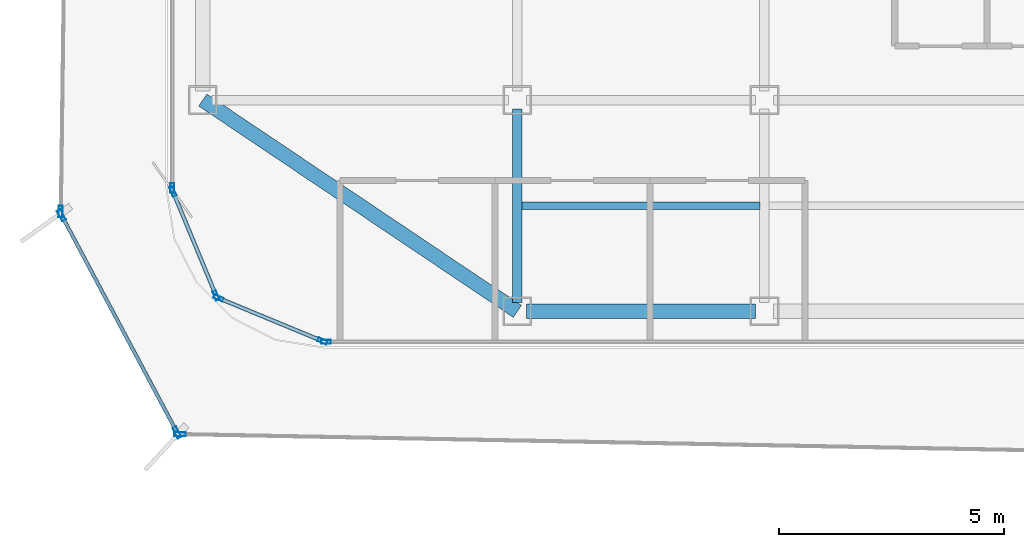
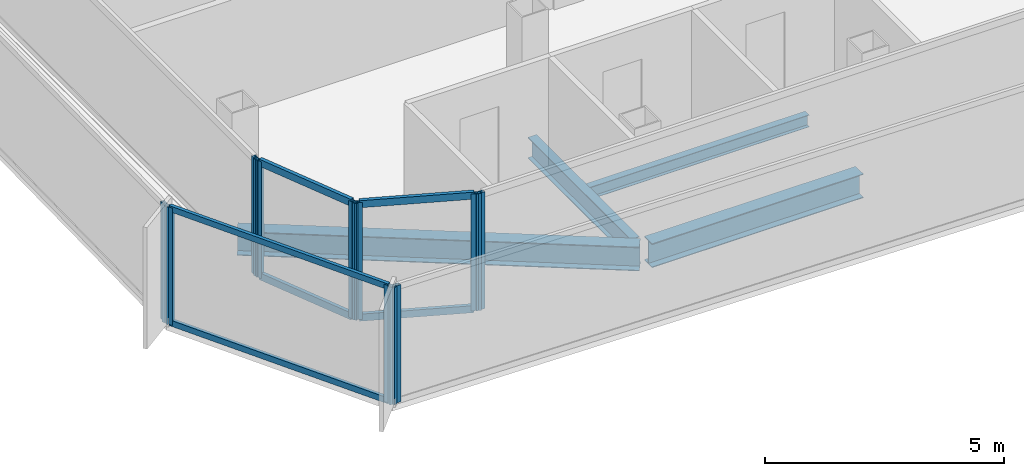
# One storey, part 2 of 15: 16 members, 4 beams, 7 elements without a shape of their own.
"""IFC4 building model written with IfcOpenShell, lengths in metres."""

from ifc_helpers import new_model, si_unit, direction, frame, origin, origin_2d, place, context, subcontext, project, spatial, hollow_rectangle, i_section, extrude, source, transform, mapped, material, layer, layer_set, material_profile, profile_set, type_object, element, aggregate, save


model = new_model("IFC4")

# Units and contexts
model_context = context("Model", 3, precision=1e-05, world=origin(), true_north=direction((0.0, 1.0)))
body_context = subcontext(model_context, "Body", "Model", "MODEL_VIEW")
ifc_project = project(units=[si_unit("LENGTHUNIT", "METRE"), si_unit("AREAUNIT", "SQUARE_METRE"), si_unit("VOLUMEUNIT", "CUBIC_METRE"), si_unit("PLANEANGLEUNIT", "RADIAN"), si_unit("MASSUNIT", "GRAM", prefix="KILO")], contexts=[model_context])

# Site, building, storey
site_placement = place(None, origin())
site = spatial("IfcSite", under=ifc_project, at=site_placement, CompositionType="ELEMENT")
building_placement = place(site_placement, origin())
building = spatial("IfcBuilding", under=site, at=building_placement, Name="Kolveth Station Tower", CompositionType="ELEMENT")
storey_placement = place(building_placement, frame((0.0, 0.0, 261.699951171875)))
storey = spatial("IfcBuildingStorey", under=building, at=storey_placement, Name="L75", CompositionType="ELEMENT", Elevation=261.699951171875)

# Beams
ifc_material_1 = material(Name="Steel S355", Category="steel")
ifc_material_profile_1 = material_profile(ifc_material_1, i_section(OverallWidth=0.323974609375, OverallDepth=0.611083984375, WebThickness=0.0126953125, FlangeThickness=0.01904296875, at=origin_2d()), Name="W610x155")
ifc_profile_set_1 = profile_set([ifc_material_profile_1], Name="Steel S355")
beam_type_1 = type_object("IfcBeamType", Name="Beam_SP2", PredefinedType="SPANDREL", material=ifc_profile_set_1)
shared_shape_1 = source(origin(), body_context, "Body", "SweptSolid", [
    extrude(i_section(OverallWidth=0.323974609375, OverallDepth=0.611083984375, WebThickness=0.0126953125, FlangeThickness=0.01904296875, at=origin_2d()), origin(), (0.0, 0.0, 1.0), 8.431396484375),
])
beam_1_placement = place(storey_placement, frame((6.0, 5.5, -0.525390625), z_axis=(0.830223811004, -0.557430196206, 0.0), x_axis=(0.557430196206, 0.830223811004, 0.0)))
element("IfcBeam", 1, at=beam_1_placement, inside=storey, type_object=beam_type_1, Name="L75 Corner Edge Girder BM-L75-CNR-SW", PredefinedType="SPANDREL", context=body_context, shape_type="MappedRepresentation", body=[
    mapped(shared_shape_1, transform((0.0, 0.0, 0.0), x_axis=(1.0, 0.0, 0.0), y_axis=(0.0, 1.0, 0.0), z_axis=(0.0, 0.0, 1.0), scale=1.0)),
])
shared_shape_2 = source(origin(), body_context, "Body", "SweptSolid", [
    extrude(i_section(OverallWidth=0.323974609375, OverallDepth=0.611083984375, WebThickness=0.0126953125, FlangeThickness=0.01904296875, at=origin_2d()), origin(), (0.0, 0.0, 1.0), 5.10009765625),
])
beam_2_placement = place(storey_placement, frame((13.199951171875, 0.800048828125, -0.525390625), z_axis=(1.0, 0.0, 0.0), x_axis=(0.0, 1.0, 0.0)))
element("IfcBeam", 2, at=beam_2_placement, inside=storey, type_object=beam_type_1, Name="L75 Perimeter Spandrel BM-L75-PS-1", PredefinedType="SPANDREL", context=body_context, shape_type="MappedRepresentation", body=[
    mapped(shared_shape_2, transform((0.0, 0.0, 0.0), x_axis=(1.0, 0.0, 0.0), y_axis=(0.0, 1.0, 0.0), z_axis=(0.0, 0.0, 1.0), scale=1.0)),
])
ifc_material_profile_2 = material_profile(ifc_material_1, i_section(OverallWidth=0.2099609375, OverallDepth=0.537109375, WebThickness=0.010986328125, FlangeThickness=0.017333984375, at=origin_2d()), Name="W530x101")
ifc_profile_set_2 = profile_set([ifc_material_profile_2], Name="Steel S355")
beam_type_2 = type_object("IfcBeamType", Name="Beam_B6", PredefinedType="BEAM", material=ifc_profile_set_2)
shared_shape_3 = source(origin(), body_context, "Body", "SweptSolid", [
    extrude(i_section(OverallWidth=0.2099609375, OverallDepth=0.537109375, WebThickness=0.010986328125, FlangeThickness=0.017333984375, at=origin_2d()), origin(), (0.0, 0.0, 1.0), 4.300048828125),
])
beam_3_placement = place(storey_placement, frame((13.0, 1.0, -0.488525390625), z_axis=(0.0, 1.0, 0.0), x_axis=(-1.0, 0.0, 0.0)))
element("IfcBeam", 3, at=beam_3_placement, inside=storey, type_object=beam_type_2, Name="L75 Primary Girder BM-L75-GX130-1", PredefinedType="BEAM", context=body_context, shape_type="MappedRepresentation", body=[
    mapped(shared_shape_3, transform((0.0, 0.0, 0.0), x_axis=(1.0, 0.0, 0.0), y_axis=(0.0, 1.0, 0.0), z_axis=(0.0, 0.0, 1.0), scale=1.0)),
])
ifc_material_profile_3 = material_profile(ifc_material_1, i_section(OverallWidth=0.1650390625, OverallDepth=0.31005859375, WebThickness=0.005859375, FlangeThickness=0.009765625, at=origin_2d()), Name="W310x39")
ifc_profile_set_3 = profile_set([ifc_material_profile_3], Name="Steel S355")
beam_type_3 = type_object("IfcBeamType", Name="Beam_J3", PredefinedType="JOIST", material=ifc_profile_set_3)
shared_shape_4 = source(origin(), body_context, "Body", "SweptSolid", [
    extrude(i_section(OverallWidth=0.1650390625, OverallDepth=0.31005859375, WebThickness=0.005859375, FlangeThickness=0.009765625, at=origin_2d()), origin(), (0.0, 0.0, 1.0), 5.2939453125),
])
beam_4_placement = place(storey_placement, frame((13.10302734375, 3.14990234375, -0.375), z_axis=(1.0, 0.0, 0.0), x_axis=(0.0, 1.0, 0.0)))
element("IfcBeam", 4, at=beam_4_placement, inside=storey, type_object=beam_type_3, Name="L75 Secondary Joist JST-L75-2-1", PredefinedType="JOIST", context=body_context, shape_type="MappedRepresentation", body=[
    mapped(shared_shape_4, transform((0.0, 0.0, 0.0), x_axis=(1.0, 0.0, 0.0), y_axis=(0.0, 1.0, 0.0), z_axis=(0.0, 0.0, 1.0), scale=1.0)),
])

# Curtain wall, member
ifc_material_2 = material(Name="Black anodized aluminium 6063-T6 and dark solar glass", Category="aluminium")
ifc_layer_1 = layer(ifc_material_2, 0.159912109375)
ifc_layer_set_1 = layer_set([ifc_layer_1], Name="Black anodized aluminium 6063-T6 and dark solar glass")
curtain_wall_type_1 = type_object("IfcCurtainWallType", Name="OUTER SKIN CW-OS", PredefinedType="NOTDEFINED", material=ifc_layer_set_1)
curtain_wall_1_placement = place(storey_placement, origin())
curtain_wall_1 = element("IfcCurtainWall", 5, at=curtain_wall_1_placement, inside=storey, type_object=curtain_wall_type_1, Name="L75 Outer Ventilated Skin Curtain Wall 6", PredefinedType="NOTDEFINED")
ifc_material_3 = material(Name="Black anodized aluminium 6063-T6", Category="aluminium")
ifc_material_profile_4 = material_profile(ifc_material_3, hollow_rectangle(XDim=0.090087890625, YDim=0.260009765625, WallThickness=0.0048828125, at=origin_2d()), Name="ALU-90x260x5")
ifc_profile_set_4 = profile_set([ifc_material_profile_4], Name="Black anodized aluminium 6063-T6")
member_type_1 = type_object("IfcMemberType", Name="FIN MULLION ML-OS", PredefinedType="MULLION", material=ifc_profile_set_4)
shared_shape_5 = source(origin(), body_context, "Body", "SweptSolid", [
    extrude(hollow_rectangle(XDim=0.090087890625, YDim=0.260009765625, WallThickness=0.0048828125, at=origin_2d()), origin(), (0.0, 0.0, 1.0), 2.989990234375),
])
member_1_placement = place(storey_placement, frame((2.833740234375, 3.021240234375, 0.0), z_axis=(0.0, 0.0, 1.0), x_axis=(0.99991405989, -0.013110027993, 0.0)))
member_1 = element("IfcMember", 6, at=member_1_placement, type_object=member_type_1, Name="CW-OS mullion 2", PredefinedType="MULLION", context=body_context, shape_type="MappedRepresentation", body=[
    mapped(shared_shape_5, transform((0.0, 0.0, 0.0), x_axis=(1.0, 0.0, 0.0), y_axis=(0.0, 1.0, 0.0), z_axis=(0.0, 0.0, 1.0), scale=1.0)),
])
aggregate(curtain_wall_1, [member_1])

# Curtain wall, members
curtain_wall_2_placement = place(storey_placement, origin())
curtain_wall_2 = element("IfcCurtainWall", 7, at=curtain_wall_2_placement, inside=storey, type_object=curtain_wall_type_1, Name="L75 Outer Ventilated Skin Curtain Wall 7", PredefinedType="NOTDEFINED")
member_2_placement = place(storey_placement, frame((2.854248046875, 2.9365234375, 0.0), z_axis=(0.0, 0.0, 1.0), x_axis=(0.882900441886, 0.469560230127, 0.0)))
member_2 = element("IfcMember", 8, at=member_2_placement, type_object=member_type_1, Name="CW-OS mullion 1", PredefinedType="MULLION", context=body_context, shape_type="MappedRepresentation", body=[
    mapped(shared_shape_5, transform((0.0, 0.0, 0.0), x_axis=(1.0, 0.0, 0.0), y_axis=(0.0, 1.0, 0.0), z_axis=(0.0, 0.0, 1.0), scale=1.0)),
])
member_3_placement = place(storey_placement, frame((5.425537109375, -1.89794921875, 0.0), z_axis=(0.0, 0.0, 1.0), x_axis=(0.882900441886, 0.469560230127, 0.0)))
member_3 = element("IfcMember", 9, at=member_3_placement, type_object=member_type_1, Name="CW-OS mullion 2", PredefinedType="MULLION", context=body_context, shape_type="MappedRepresentation", body=[
    mapped(shared_shape_5, transform((0.0, 0.0, 0.0), x_axis=(1.0, 0.0, 0.0), y_axis=(0.0, 1.0, 0.0), z_axis=(0.0, 0.0, 1.0), scale=1.0)),
])

# Curtain wall, member
curtain_wall_3_placement = place(storey_placement, origin())
curtain_wall_3 = element("IfcCurtainWall", 10, at=curtain_wall_3_placement, inside=storey, type_object=curtain_wall_type_1, Name="L75 Outer Ventilated Skin Curtain Wall 8", PredefinedType="NOTDEFINED")
member_4_placement = place(storey_placement, frame((5.49169921875, -1.9384765625, 0.0), z_axis=(0.0, 0.0, 1.0), x_axis=(0.018918233946, 0.999821034198, 0.0)))
member_4 = element("IfcMember", 11, at=member_4_placement, type_object=member_type_1, Name="CW-OS mullion 1", PredefinedType="MULLION", context=body_context, shape_type="MappedRepresentation", body=[
    mapped(shared_shape_5, transform((0.0, 0.0, 0.0), x_axis=(1.0, 0.0, 0.0), y_axis=(0.0, 1.0, 0.0), z_axis=(0.0, 0.0, 1.0), scale=1.0)),
])
aggregate(curtain_wall_3, [member_4])

ifc_material_4 = material(Name="Aluminium 6063-T6 and triple low-E dark glass", Category="aluminium")
ifc_layer_2 = layer(ifc_material_4, 0.199951171875)
ifc_layer_set_2 = layer_set([ifc_layer_2], Name="Aluminium 6063-T6 and triple low-E dark glass")
curtain_wall_type_2 = type_object("IfcCurtainWallType", Name="CurtainWall_CW-Z3", PredefinedType="NOTDEFINED", material=ifc_layer_set_2)
curtain_wall_4_placement = place(storey_placement, origin())
curtain_wall_4 = element("IfcCurtainWall", 12, at=curtain_wall_4_placement, inside=storey, type_object=curtain_wall_type_2, Name="L75 Inner Thermal Curtain Wall 9", PredefinedType="NOTDEFINED")
ifc_material_profile_5 = material_profile(ifc_material_3, hollow_rectangle(XDim=0.0849609375, YDim=0.215087890625, WallThickness=0.0048828125, at=origin_2d()), Name="ALU-85x215x5")
ifc_profile_set_5 = profile_set([ifc_material_profile_5], Name="Black anodized aluminium 6063-T6")
member_type_2 = type_object("IfcMemberType", Name="Mullion_ML3", PredefinedType="MULLION", material=ifc_profile_set_5)
shared_shape_6 = source(origin(), body_context, "Body", "SweptSolid", [
    extrude(hollow_rectangle(XDim=0.0849609375, YDim=0.215087890625, WallThickness=0.0048828125, at=origin_2d()), origin(), (0.0, 0.0, 1.0), 2.97998046875),
])
member_5_placement = place(storey_placement, frame((5.320068359375, 3.54248046875, 0.0), z_axis=(0.0, 0.0, 1.0), x_axis=(1.0, 0.0, 0.0)))
member_5 = element("IfcMember", 13, at=member_5_placement, type_object=member_type_2, Name="CW-Z3 mullion 2", PredefinedType="MULLION", context=body_context, shape_type="MappedRepresentation", body=[
    mapped(shared_shape_6, transform((0.0, 0.0, 0.0), x_axis=(1.0, 0.0, 0.0), y_axis=(0.0, 1.0, 0.0), z_axis=(0.0, 0.0, 1.0), scale=1.0)),
])
aggregate(curtain_wall_4, [member_5])

# Curtain wall, members
curtain_wall_5_placement = place(storey_placement, origin())
curtain_wall_5 = element("IfcCurtainWall", 14, at=curtain_wall_5_placement, inside=storey, type_object=curtain_wall_type_2, Name="L75 Inner Thermal Curtain Wall 10", PredefinedType="NOTDEFINED")
member_6_placement = place(storey_placement, frame((5.336181640625, 3.460693359375, 0.0), z_axis=(0.0, 0.0, 1.0), x_axis=(0.923875488975, 0.382693194181, 0.0)))
member_6 = element("IfcMember", 15, at=member_6_placement, type_object=member_type_2, Name="CW-Z3 mullion 1", PredefinedType="MULLION", context=body_context, shape_type="MappedRepresentation", body=[
    mapped(shared_shape_6, transform((0.0, 0.0, 0.0), x_axis=(1.0, 0.0, 0.0), y_axis=(0.0, 1.0, 0.0), z_axis=(0.0, 0.0, 1.0), scale=1.0)),
])
member_7_placement = place(storey_placement, frame((6.293701171875, 1.149169921875, 0.0), z_axis=(0.0, 0.0, 1.0), x_axis=(0.923875488975, 0.382693194181, 0.0)))
member_7 = element("IfcMember", 16, at=member_7_placement, type_object=member_type_2, Name="CW-Z3 mullion 2", PredefinedType="MULLION", context=body_context, shape_type="MappedRepresentation", body=[
    mapped(shared_shape_6, transform((0.0, 0.0, 0.0), x_axis=(1.0, 0.0, 0.0), y_axis=(0.0, 1.0, 0.0), z_axis=(0.0, 0.0, 1.0), scale=1.0)),
])

curtain_wall_6_placement = place(storey_placement, origin())
curtain_wall_6 = element("IfcCurtainWall", 17, at=curtain_wall_6_placement, inside=storey, type_object=curtain_wall_type_2, Name="L75 Inner Thermal Curtain Wall 11", PredefinedType="NOTDEFINED")
member_8_placement = place(storey_placement, frame((6.349365234375, 1.09375, 0.0), z_axis=(0.0, 0.0, 1.0), x_axis=(0.382693194181, 0.923875488975, 0.0)))
member_8 = element("IfcMember", 18, at=member_8_placement, type_object=member_type_2, Name="CW-Z3 mullion 1", PredefinedType="MULLION", context=body_context, shape_type="MappedRepresentation", body=[
    mapped(shared_shape_6, transform((0.0, 0.0, 0.0), x_axis=(1.0, 0.0, 0.0), y_axis=(0.0, 1.0, 0.0), z_axis=(0.0, 0.0, 1.0), scale=1.0)),
])
member_9_placement = place(storey_placement, frame((8.66064453125, 0.13623046875, 0.0), z_axis=(0.0, 0.0, 1.0), x_axis=(0.382693194181, 0.923875488975, 0.0)))
member_9 = element("IfcMember", 19, at=member_9_placement, type_object=member_type_2, Name="CW-Z3 mullion 2", PredefinedType="MULLION", context=body_context, shape_type="MappedRepresentation", body=[
    mapped(shared_shape_6, transform((0.0, 0.0, 0.0), x_axis=(1.0, 0.0, 0.0), y_axis=(0.0, 1.0, 0.0), z_axis=(0.0, 0.0, 1.0), scale=1.0)),
])

# Curtain wall, member
curtain_wall_7_placement = place(storey_placement, origin())
curtain_wall_7 = element("IfcCurtainWall", 20, at=curtain_wall_7_placement, inside=storey, type_object=curtain_wall_type_2, Name="L75 Inner Thermal Curtain Wall 12", PredefinedType="NOTDEFINED")
member_10_placement = place(storey_placement, frame((8.742431640625, 0.1201171875, 0.0), z_axis=(0.0, 0.0, 1.0), x_axis=(0.0, 1.0, 0.0)))
member_10 = element("IfcMember", 21, at=member_10_placement, type_object=member_type_2, Name="CW-Z3 mullion 1", PredefinedType="MULLION", context=body_context, shape_type="MappedRepresentation", body=[
    mapped(shared_shape_6, transform((0.0, 0.0, 0.0), x_axis=(1.0, 0.0, 0.0), y_axis=(0.0, 1.0, 0.0), z_axis=(0.0, 0.0, 1.0), scale=1.0)),
])
aggregate(curtain_wall_7, [member_10])

# Member
ifc_material_profile_6 = material_profile(ifc_material_3, hollow_rectangle(XDim=0.0849609375, YDim=0.179931640625, WallThickness=0.0048828125, at=origin_2d()), Name="ALU-85x180x5")
ifc_profile_set_6 = profile_set([ifc_material_profile_6], Name="Black anodized aluminium 6063-T6")
member_type_3 = type_object("IfcMemberType", Name="Transom_TR3", PredefinedType="USERDEFINED", material=ifc_profile_set_6)
shared_shape_7 = source(origin(), body_context, "Body", "SweptSolid", [
    extrude(hollow_rectangle(XDim=0.0849609375, YDim=0.179931640625, WallThickness=0.0048828125, at=origin_2d()), origin(), (0.0, 0.0, 1.0), 2.4169921875),
])
member_11_placement = place(storey_placement, frame((5.3525390625, 3.42138671875, 0.04248046875), z_axis=(0.382735401206, -0.9238580046, 0.0), x_axis=(0.9238580046, 0.382735401206, 0.0)))
member_11 = element("IfcMember", 22, at=member_11_placement, type_object=member_type_3, Name="CW-Z3 transom 1.1", ObjectType="TRANSOM", PredefinedType="USERDEFINED", context=body_context, shape_type="MappedRepresentation", body=[
    mapped(shared_shape_7, transform((0.0, 0.0, 0.0), x_axis=(1.0, 0.0, 0.0), y_axis=(0.0, 1.0, 0.0), z_axis=(0.0, 0.0, 1.0), scale=1.0)),
])

member_12_placement = place(storey_placement, frame((5.3525390625, 3.42138671875, 2.9375), z_axis=(0.382735401206, -0.9238580046, 0.0), x_axis=(0.9238580046, 0.382735401206, 0.0)))
member_12 = element("IfcMember", 23, at=member_12_placement, type_object=member_type_3, Name="CW-Z3 transom 1.2", ObjectType="TRANSOM", PredefinedType="USERDEFINED", context=body_context, shape_type="MappedRepresentation", body=[
    mapped(shared_shape_7, transform((0.0, 0.0, 0.0), x_axis=(1.0, 0.0, 0.0), y_axis=(0.0, 1.0, 0.0), z_axis=(0.0, 0.0, 1.0), scale=1.0)),
])

aggregate(curtain_wall_5, [member_6, member_7, member_11, member_12])

member_13_placement = place(storey_placement, frame((6.388427734375, 1.077392578125, 0.04248046875), z_axis=(0.923908507952, -0.382613471971, 0.0), x_axis=(0.382613471971, 0.923908507952, 0.0)))
member_13 = element("IfcMember", 24, at=member_13_placement, type_object=member_type_3, Name="CW-Z3 transom 1.1", ObjectType="TRANSOM", PredefinedType="USERDEFINED", context=body_context, shape_type="MappedRepresentation", body=[
    mapped(shared_shape_7, transform((0.0, 0.0, 0.0), x_axis=(1.0, 0.0, 0.0), y_axis=(0.0, 1.0, 0.0), z_axis=(0.0, 0.0, 1.0), scale=1.0)),
])

member_14_placement = place(storey_placement, frame((6.388427734375, 1.077392578125, 2.9375), z_axis=(0.923908507952, -0.382613471971, 0.0), x_axis=(0.382613471971, 0.923908507952, 0.0)))
member_14 = element("IfcMember", 25, at=member_14_placement, type_object=member_type_3, Name="CW-Z3 transom 1.2", ObjectType="TRANSOM", PredefinedType="USERDEFINED", context=body_context, shape_type="MappedRepresentation", body=[
    mapped(shared_shape_7, transform((0.0, 0.0, 0.0), x_axis=(1.0, 0.0, 0.0), y_axis=(0.0, 1.0, 0.0), z_axis=(0.0, 0.0, 1.0), scale=1.0)),
])

aggregate(curtain_wall_6, [member_8, member_9, member_13, member_14])

ifc_material_profile_7 = material_profile(ifc_material_3, hollow_rectangle(XDim=0.080078125, YDim=0.14990234375, WallThickness=0.0048828125, at=origin_2d()), Name="ALU-80x150x5")
ifc_profile_set_7 = profile_set([ifc_material_profile_7], Name="Black anodized aluminium 6063-T6")
member_type_4 = type_object("IfcMemberType", Name="Transom_TR-OS", PredefinedType="USERDEFINED", material=ifc_profile_set_7)
shared_shape_8 = source(origin(), body_context, "Body", "SweptSolid", [
    extrude(hollow_rectangle(XDim=0.080078125, YDim=0.14990234375, WallThickness=0.0048828125, at=origin_2d()), origin(), (0.0, 0.0, 1.0), 5.385498046875),
])
member_15_placement = place(storey_placement, frame((2.87548828125, 2.896728515625, 0.0400390625), z_axis=(0.469557337768, -0.882901980147, 0.0), x_axis=(0.882901980147, 0.469557337768, 0.0)))
member_15 = element("IfcMember", 26, at=member_15_placement, type_object=member_type_4, Name="CW-OS transom 1.1", ObjectType="TRANSOM", PredefinedType="USERDEFINED", context=body_context, shape_type="MappedRepresentation", body=[
    mapped(shared_shape_8, transform((0.0, 0.0, 0.0), x_axis=(1.0, 0.0, 0.0), y_axis=(0.0, 1.0, 0.0), z_axis=(0.0, 0.0, 1.0), scale=1.0)),
])

member_16_placement = place(storey_placement, frame((2.87548828125, 2.896728515625, 2.949951171875), z_axis=(0.469557337768, -0.882901980147, 0.0), x_axis=(0.882901980147, 0.469557337768, 0.0)))
member_16 = element("IfcMember", 27, at=member_16_placement, type_object=member_type_4, Name="CW-OS transom 1.2", ObjectType="TRANSOM", PredefinedType="USERDEFINED", context=body_context, shape_type="MappedRepresentation", body=[
    mapped(shared_shape_8, transform((0.0, 0.0, 0.0), x_axis=(1.0, 0.0, 0.0), y_axis=(0.0, 1.0, 0.0), z_axis=(0.0, 0.0, 1.0), scale=1.0)),
])

aggregate(curtain_wall_2, [member_2, member_3, member_15, member_16])

save(model, "model.ifc")
